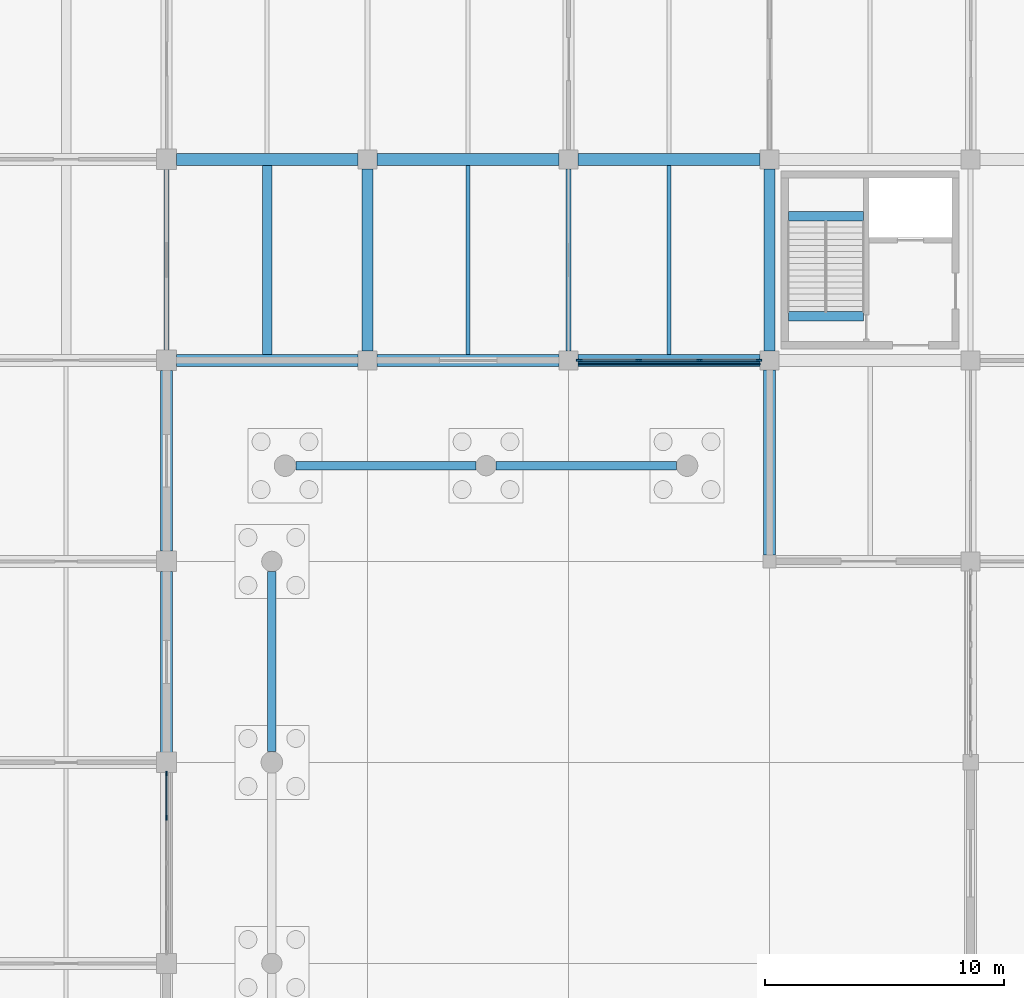
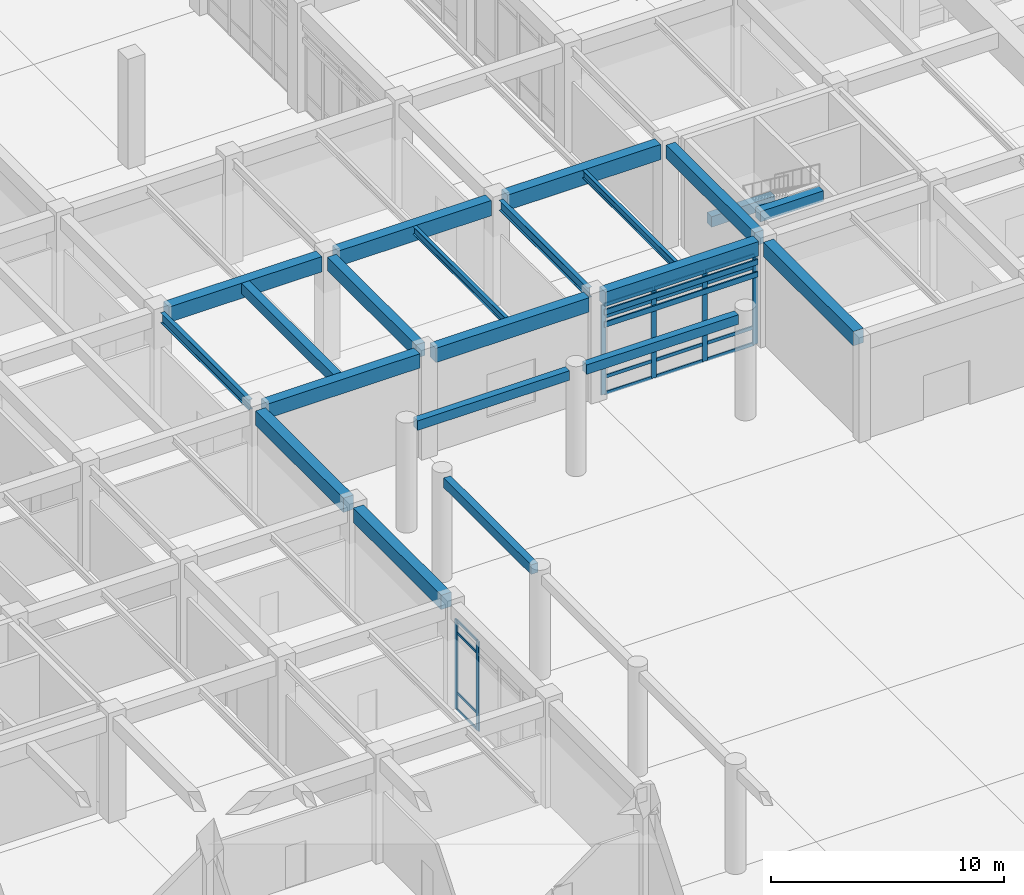
# One storey, part 9 of 91: 24 members, 21 beams, 2 elements without a shape of their own.
"""IFC4 building model written with IfcOpenShell, lengths in metres."""

from ifc_helpers import new_model, si_unit, direction, frame, origin, origin_2d, place, context, subcontext, project, spatial, rectangle, i_section, extrude, material, layer, layer_set, material_profile, profile_set, type_object, element, aggregate, save


model = new_model("IFC4")

# Units and contexts
model_context = context("Model", 3, precision=1e-05, world=origin(), true_north=direction((0.0, 1.0)))
body_context = subcontext(model_context, "Body", "Model", "MODEL_VIEW")
ifc_project = project(units=[si_unit("LENGTHUNIT", "METRE"), si_unit("AREAUNIT", "SQUARE_METRE"), si_unit("VOLUMEUNIT", "CUBIC_METRE"), si_unit("PLANEANGLEUNIT", "RADIAN"), si_unit("MASSUNIT", "GRAM", prefix="KILO")], contexts=[model_context])

# Site, building, storey
site_placement = place(None, origin())
site = spatial("IfcSite", under=ifc_project, at=site_placement, CompositionType="ELEMENT")
building_placement = place(site_placement, origin())
building = spatial("IfcBuilding", under=site, at=building_placement, Name="Porcellanite Civic Hall", CompositionType="ELEMENT")
storey_placement = place(building_placement, origin())
storey = spatial("IfcBuildingStorey", under=building, at=storey_placement, Name="L00", CompositionType="ELEMENT", Elevation=0.0)

# Beams
ifc_material_1 = material(Name="Concrete N50 (50 MPa)", Category="concrete")
ifc_material_profile_1 = material_profile(ifc_material_1, rectangle(XDim=0.39990234375, YDim=0.550048828125, at=origin_2d()), Name="RC-400x550")
ifc_profile_set_1 = profile_set([ifc_material_profile_1], Name="Concrete N50 (50 MPa)")
beam_type_1 = type_object("IfcBeamType", Name="BM-RC550", PredefinedType="JOIST", material=ifc_profile_set_1)
beam_1_placement = place(storey_placement, frame((37.800048828125, 50.6494140625, 5.22509765625), z_axis=(0.0, 1.0, 0.0), x_axis=(-1.0, 0.0, 0.0)))
element("IfcBeam", 1, at=beam_1_placement, inside=storey, type_object=beam_type_1, Name="Secondary joist L00 5-7", PredefinedType="JOIST", context=body_context, shape_type="SweptSolid", body=[
    extrude(rectangle(XDim=0.39990234375, YDim=0.550048828125, at=origin_2d()), origin(), (0.0, 0.0, 1.0), 7.901123046875),
])
for number, where, z_axis, x_axis, name in (
    (2, (59.58056640625, 56.425048828125, 2.425048828125), (1.0, 0.0, 0.0), (0.0, 1.0, 0.0), "Stair landing beam C5 L00"),
    (3, (59.58056640625, 52.25, 5.22509765625), (1.0, 0.0, 0.0), (0.0, 1.0, 0.0), "Stair header beam C5 L00"),
):
    element("IfcBeam", number, at=place(storey_placement, frame(where, z_axis=z_axis, x_axis=x_axis)), inside=storey, type_object=beam_type_1, Name=name, PredefinedType="JOIST", context=body_context, shape_type="SweptSolid", body=[
        extrude(rectangle(XDim=0.39990234375, YDim=0.550048828125, at=origin_2d()), origin(), (0.0, 0.0, 1.0), 3.138916015625),
    ])
ifc_material_2 = material(Name="Concrete N50 (50 MPa)", Category="concrete")
ifc_material_profile_2 = material_profile(ifc_material_2, rectangle(XDim=0.449951171875, YDim=0.699951171875, at=origin_2d()), Name="RC-450x700")
ifc_profile_set_2 = profile_set([ifc_material_profile_2], Name="Concrete N50 (50 MPa)")
beam_type_2 = type_object("IfcBeamType", Name="BM-RC700", PredefinedType="BEAM", material=ifc_profile_set_2)
for number, where, z_axis, x_axis, name in (
    (4, (42.0, 50.799560546875, 5.14990234375), (0.0, 1.0, 0.0), (-1.0, 0.0, 0.0), "Beam Y L00 6-7"),
    (5, (58.800048828125, 50.799560546875, 5.14990234375), (0.0, 1.0, 0.0), (-1.0, 0.0, 0.0), "Beam Y L00 8-7"),
):
    element("IfcBeam", number, at=place(storey_placement, frame(where, z_axis=z_axis, x_axis=x_axis)), inside=storey, type_object=beam_type_2, Name=name, PredefinedType="BEAM", context=body_context, shape_type="SweptSolid", body=[
        extrude(rectangle(XDim=0.449951171875, YDim=0.699951171875, at=origin_2d()), origin(), (0.0, 0.0, 1.0), 7.600830078125),
    ])
ifc_material_3 = material(Name="Concrete N50 (50 MPa)", Category="concrete")
ifc_material_profile_3 = material_profile(ifc_material_3, rectangle(XDim=0.5, YDim=0.75, at=origin_2d()), Name="RC-500x750")
ifc_profile_set_3 = profile_set([ifc_material_profile_3], Name="Concrete N50 (50 MPa)")
beam_type_3 = type_object("IfcBeamType", Name="BM-RC750", PredefinedType="SPANDREL", material=ifc_profile_set_3)
beam_2_placement = place(storey_placement, frame((34.0244140625, 50.39990234375, 5.125), z_axis=(1.0, 0.0, 0.0), x_axis=(0.0, 1.0, 0.0)))
element("IfcBeam", 6, at=beam_2_placement, inside=storey, type_object=beam_type_3, Name="Beam X L00 5-7", PredefinedType="SPANDREL", context=body_context, shape_type="SweptSolid", body=[
    extrude(rectangle(XDim=0.5, YDim=0.75, at=origin_2d()), origin(), (0.0, 0.0, 1.0), 7.576171875),
])
beam_3_placement = place(storey_placement, frame((42.3994140625, 50.39990234375, 5.125), z_axis=(1.0, 0.0, 0.0), x_axis=(0.0, 1.0, 0.0)))
element("IfcBeam", 7, at=beam_3_placement, inside=storey, type_object=beam_type_3, Name="Beam X L00 6-7", PredefinedType="SPANDREL", context=body_context, shape_type="SweptSolid", body=[
    extrude(rectangle(XDim=0.5, YDim=0.75, at=origin_2d()), origin(), (0.0, 0.0, 1.0), 7.60107421875),
])
beam_4_placement = place(storey_placement, frame((50.799560546875, 50.39990234375, 5.125), z_axis=(1.0, 0.0, 0.0), x_axis=(0.0, 1.0, 0.0)))
element("IfcBeam", 8, at=beam_4_placement, inside=storey, type_object=beam_type_3, Name="Beam X L00 7-7", PredefinedType="SPANDREL", context=body_context, shape_type="SweptSolid", body=[
    extrude(rectangle(XDim=0.5, YDim=0.75, at=origin_2d()), origin(), (0.0, 0.0, 1.0), 7.600830078125),
])
for number, where, z_axis, x_axis, name in (
    (9, (33.60009765625, 34.0244140625, 5.125), (0.0, 1.0, 0.0), (-1.0, 0.0, 0.0), "Beam Y L00 5-5"),
    (10, (33.60009765625, 42.424560546875, 5.125), (0.0, 1.0, 0.0), (-1.0, 0.0, 0.0), "Beam Y L00 5-6"),
):
    element("IfcBeam", number, at=place(storey_placement, frame(where, z_axis=z_axis, x_axis=x_axis)), inside=storey, type_object=beam_type_3, Name=name, PredefinedType="SPANDREL", context=body_context, shape_type="SweptSolid", body=[
        extrude(rectangle(XDim=0.5, YDim=0.75, at=origin_2d()), origin(), (0.0, 0.0, 1.0), 7.551025390625),
    ])
beam_5_placement = place(storey_placement, frame((58.800048828125, 42.2744140625, 5.125), z_axis=(0.0, 1.0, 0.0), x_axis=(-1.0, 0.0, 0.0)))
element("IfcBeam", 11, at=beam_5_placement, inside=storey, type_object=beam_type_3, Name="Beam Y L00 8-6", PredefinedType="SPANDREL", context=body_context, shape_type="SweptSolid", body=[
    extrude(rectangle(XDim=0.5, YDim=0.75, at=origin_2d()), origin(), (0.0, 0.0, 1.0), 7.72607421875),
])
ifc_material_4 = material(Name="Concrete N50 (50 MPa)", Category="concrete")
ifc_material_profile_4 = material_profile(ifc_material_4, rectangle(XDim=0.5, YDim=0.800048828125, at=origin_2d()), Name="RC-500x800")
ifc_profile_set_4 = profile_set([ifc_material_profile_4], Name="Concrete N50 (50 MPa)")
beam_type_4 = type_object("IfcBeamType", Name="BM-RC800", PredefinedType="BEAM", material=ifc_profile_set_4)
beam_6_placement = place(storey_placement, frame((34.0244140625, 58.800048828125, 5.10009765625), z_axis=(1.0, 0.0, 0.0), x_axis=(0.0, 1.0, 0.0)))
element("IfcBeam", 12, at=beam_6_placement, inside=storey, type_object=beam_type_4, Name="Beam X L00 5-8", PredefinedType="BEAM", context=body_context, shape_type="SweptSolid", body=[
    extrude(rectangle(XDim=0.5, YDim=0.800048828125, at=origin_2d()), origin(), (0.0, 0.0, 1.0), 7.576171875),
])
beam_7_placement = place(storey_placement, frame((42.3994140625, 58.800048828125, 5.10009765625), z_axis=(1.0, 0.0, 0.0), x_axis=(0.0, 1.0, 0.0)))
element("IfcBeam", 13, at=beam_7_placement, inside=storey, type_object=beam_type_4, Name="Beam X L00 6-8", PredefinedType="BEAM", context=body_context, shape_type="SweptSolid", body=[
    extrude(rectangle(XDim=0.5, YDim=0.800048828125, at=origin_2d()), origin(), (0.0, 0.0, 1.0), 7.60107421875),
])
beam_8_placement = place(storey_placement, frame((50.799560546875, 58.800048828125, 5.10009765625), z_axis=(1.0, 0.0, 0.0), x_axis=(0.0, 1.0, 0.0)))
element("IfcBeam", 14, at=beam_8_placement, inside=storey, type_object=beam_type_4, Name="Beam X L00 7-8", PredefinedType="BEAM", context=body_context, shape_type="SweptSolid", body=[
    extrude(rectangle(XDim=0.5, YDim=0.800048828125, at=origin_2d()), origin(), (0.0, 0.0, 1.0), 7.600830078125),
])

# Curtain wall, members
ifc_material_5 = material(Name="Anodised aluminium and solar laminated glass", Category="aluminium")
ifc_layer_1 = layer(ifc_material_5, 0.179931640625)
ifc_layer_set_1 = layer_set([ifc_layer_1], Name="Anodised aluminium and solar laminated glass")
curtain_wall_type_1 = type_object("IfcCurtainWallType", Name="CW-SYS08", PredefinedType="NOTDEFINED", material=ifc_layer_set_1)
curtain_wall_1_placement = place(storey_placement, origin())
curtain_wall_1 = element("IfcCurtainWall", 15, at=curtain_wall_1_placement, inside=storey, type_object=curtain_wall_type_1, Name="Curtain wall CW-016", PredefinedType="NOTDEFINED")
ifc_material_6 = material(Name="Anodised aluminium 6063-T6", Category="aluminium")
ifc_material_profile_5 = material_profile(ifc_material_6, rectangle(XDim=0.080078125, YDim=0.239990234375, at=origin_2d()), Name="AL-80x240")
ifc_profile_set_5 = profile_set([ifc_material_profile_5], Name="Anodised aluminium 6063-T6")
member_type_1 = type_object("IfcMemberType", Name="CWM-01", PredefinedType="MULLION", material=ifc_profile_set_5)
member_1_placement = place(storey_placement, frame((58.35888671875, 50.39990234375, 0.0), z_axis=(0.0, 0.0, 1.0), x_axis=(0.0, -1.0, 0.0)))
member_1 = element("IfcMember", 16, at=member_1_placement, type_object=member_type_1, Name="CW-016 mullion 1", PredefinedType="MULLION", context=body_context, shape_type="SweptSolid", body=[
    extrude(rectangle(XDim=0.080078125, YDim=0.239990234375, at=origin_2d()), origin(), (0.0, 0.0, 1.0), 4.699951171875),
])
member_2_placement = place(storey_placement, frame((55.866455078125, 50.39990234375, 0.0), z_axis=(0.0, 0.0, 1.0), x_axis=(0.0, -1.0, 0.0)))
member_2 = element("IfcMember", 17, at=member_2_placement, type_object=member_type_1, Name="CW-016 mullion 2", PredefinedType="MULLION", context=body_context, shape_type="SweptSolid", body=[
    extrude(rectangle(XDim=0.080078125, YDim=0.239990234375, at=origin_2d()), origin(), (0.0, 0.0, 1.0), 4.699951171875),
])
member_3_placement = place(storey_placement, frame((53.333740234375, 50.39990234375, 0.0), z_axis=(0.0, 0.0, 1.0), x_axis=(0.0, -1.0, 0.0)))
member_3 = element("IfcMember", 18, at=member_3_placement, type_object=member_type_1, Name="CW-016 mullion 3", PredefinedType="MULLION", context=body_context, shape_type="SweptSolid", body=[
    extrude(rectangle(XDim=0.080078125, YDim=0.239990234375, at=origin_2d()), origin(), (0.0, 0.0, 1.0), 4.699951171875),
])
member_4_placement = place(storey_placement, frame((50.841064453125, 50.39990234375, 0.0), z_axis=(0.0, 0.0, 1.0), x_axis=(0.0, -1.0, 0.0)))
member_4 = element("IfcMember", 19, at=member_4_placement, type_object=member_type_1, Name="CW-016 mullion 4", PredefinedType="MULLION", context=body_context, shape_type="SweptSolid", body=[
    extrude(rectangle(XDim=0.080078125, YDim=0.239990234375, at=origin_2d()), origin(), (0.0, 0.0, 1.0), 4.699951171875),
])

ifc_material_7 = material(Name="Anodised aluminium and solar laminated glass", Category="aluminium")
ifc_layer_2 = layer(ifc_material_7, 0.179931640625)
ifc_layer_set_2 = layer_set([ifc_layer_2], Name="Anodised aluminium and solar laminated glass")
curtain_wall_type_2 = type_object("IfcCurtainWallType", Name="CW-SYS05", PredefinedType="NOTDEFINED", material=ifc_layer_set_2)
curtain_wall_2_placement = place(storey_placement, origin())
curtain_wall_2 = element("IfcCurtainWall", 20, at=curtain_wall_2_placement, inside=storey, type_object=curtain_wall_type_2, Name="Curtain wall CW-012", PredefinedType="NOTDEFINED")
ifc_material_8 = material(Name="Anodised aluminium 6063-T6", Category="aluminium")
ifc_material_profile_6 = material_profile(ifc_material_8, rectangle(XDim=0.070068359375, YDim=0.199951171875, at=origin_2d()), Name="AL-70x200")
ifc_profile_set_6 = profile_set([ifc_material_profile_6], Name="Anodised aluminium 6063-T6")
member_type_2 = type_object("IfcMemberType", Name="CWM-05", PredefinedType="MULLION", material=ifc_profile_set_6)
member_5_placement = place(storey_placement, frame((33.60009765625, 33.138916015625, 0.0), z_axis=(0.0, 0.0, 1.0), x_axis=(1.0, 0.0, 0.0)))
member_5 = element("IfcMember", 21, at=member_5_placement, type_object=member_type_2, Name="CW-012 mullion 1", PredefinedType="MULLION", context=body_context, shape_type="SweptSolid", body=[
    extrude(rectangle(XDim=0.070068359375, YDim=0.199951171875, at=origin_2d()), origin(), (0.0, 0.0, 1.0), 4.699951171875),
])
member_6_placement = place(storey_placement, frame((33.60009765625, 31.287109375, 0.0), z_axis=(0.0, 0.0, 1.0), x_axis=(1.0, 0.0, 0.0)))
member_6 = element("IfcMember", 22, at=member_6_placement, type_object=member_type_2, Name="CW-012 mullion 2", PredefinedType="MULLION", context=body_context, shape_type="SweptSolid", body=[
    extrude(rectangle(XDim=0.070068359375, YDim=0.199951171875, at=origin_2d()), origin(), (0.0, 0.0, 1.0), 4.699951171875),
])

# Member
ifc_material_9 = material(Name="Anodised aluminium 6063-T6", Category="aluminium")
ifc_material_profile_7 = material_profile(ifc_material_9, rectangle(XDim=0.070068359375, YDim=0.175048828125, at=origin_2d()), Name="AL-70x175")
ifc_profile_set_7 = profile_set([ifc_material_profile_7], Name="Anodised aluminium 6063-T6")
member_type_3 = type_object("IfcMemberType", Name="CWT-01", PredefinedType="USERDEFINED", material=ifc_profile_set_7)
member_7_placement = place(storey_placement, frame((58.319091796875, 50.39990234375, 0.034912109375), z_axis=(-1.0, 0.0, 0.0), x_axis=(0.0, -1.0, 0.0)))
member_7 = element("IfcMember", 23, at=member_7_placement, type_object=member_type_3, Name="CW-016 transom 1.1", ObjectType="TRANSOM", PredefinedType="USERDEFINED", context=body_context, shape_type="SweptSolid", body=[
    extrude(rectangle(XDim=0.070068359375, YDim=0.175048828125, at=origin_2d()), origin(), (0.0, 0.0, 1.0), 2.412841796875),
])

member_8_placement = place(storey_placement, frame((58.319091796875, 50.39990234375, 0.89990234375), z_axis=(-1.0, 0.0, 0.0), x_axis=(0.0, -1.0, 0.0)))
member_8 = element("IfcMember", 24, at=member_8_placement, type_object=member_type_3, Name="CW-016 transom 1.2", ObjectType="TRANSOM", PredefinedType="USERDEFINED", context=body_context, shape_type="SweptSolid", body=[
    extrude(rectangle(XDim=0.070068359375, YDim=0.175048828125, at=origin_2d()), origin(), (0.0, 0.0, 1.0), 2.412841796875),
])

member_9_placement = place(storey_placement, frame((58.319091796875, 50.39990234375, 4.050048828125), z_axis=(-1.0, 0.0, 0.0), x_axis=(0.0, -1.0, 0.0)))
member_9 = element("IfcMember", 25, at=member_9_placement, type_object=member_type_3, Name="CW-016 transom 1.3", ObjectType="TRANSOM", PredefinedType="USERDEFINED", context=body_context, shape_type="SweptSolid", body=[
    extrude(rectangle(XDim=0.070068359375, YDim=0.175048828125, at=origin_2d()), origin(), (0.0, 0.0, 1.0), 2.412841796875),
])

member_10_placement = place(storey_placement, frame((58.319091796875, 50.39990234375, 4.6650390625), z_axis=(-1.0, 0.0, 0.0), x_axis=(0.0, -1.0, 0.0)))
member_10 = element("IfcMember", 26, at=member_10_placement, type_object=member_type_3, Name="CW-016 transom 1.4", ObjectType="TRANSOM", PredefinedType="USERDEFINED", context=body_context, shape_type="SweptSolid", body=[
    extrude(rectangle(XDim=0.070068359375, YDim=0.175048828125, at=origin_2d()), origin(), (0.0, 0.0, 1.0), 2.412841796875),
])

member_11_placement = place(storey_placement, frame((55.826416015625, 50.39990234375, 0.034912109375), z_axis=(-1.0, 0.0, 0.0), x_axis=(0.0, -1.0, 0.0)))
member_11 = element("IfcMember", 27, at=member_11_placement, type_object=member_type_3, Name="CW-016 transom 2.1", ObjectType="TRANSOM", PredefinedType="USERDEFINED", context=body_context, shape_type="SweptSolid", body=[
    extrude(rectangle(XDim=0.070068359375, YDim=0.175048828125, at=origin_2d()), origin(), (0.0, 0.0, 1.0), 2.45263671875),
])

member_12_placement = place(storey_placement, frame((55.826416015625, 50.39990234375, 0.89990234375), z_axis=(-1.0, 0.0, 0.0), x_axis=(0.0, -1.0, 0.0)))
member_12 = element("IfcMember", 28, at=member_12_placement, type_object=member_type_3, Name="CW-016 transom 2.2", ObjectType="TRANSOM", PredefinedType="USERDEFINED", context=body_context, shape_type="SweptSolid", body=[
    extrude(rectangle(XDim=0.070068359375, YDim=0.175048828125, at=origin_2d()), origin(), (0.0, 0.0, 1.0), 2.45263671875),
])

member_13_placement = place(storey_placement, frame((55.826416015625, 50.39990234375, 4.050048828125), z_axis=(-1.0, 0.0, 0.0), x_axis=(0.0, -1.0, 0.0)))
member_13 = element("IfcMember", 29, at=member_13_placement, type_object=member_type_3, Name="CW-016 transom 2.3", ObjectType="TRANSOM", PredefinedType="USERDEFINED", context=body_context, shape_type="SweptSolid", body=[
    extrude(rectangle(XDim=0.070068359375, YDim=0.175048828125, at=origin_2d()), origin(), (0.0, 0.0, 1.0), 2.45263671875),
])

member_14_placement = place(storey_placement, frame((55.826416015625, 50.39990234375, 4.6650390625), z_axis=(-1.0, 0.0, 0.0), x_axis=(0.0, -1.0, 0.0)))
member_14 = element("IfcMember", 30, at=member_14_placement, type_object=member_type_3, Name="CW-016 transom 2.4", ObjectType="TRANSOM", PredefinedType="USERDEFINED", context=body_context, shape_type="SweptSolid", body=[
    extrude(rectangle(XDim=0.070068359375, YDim=0.175048828125, at=origin_2d()), origin(), (0.0, 0.0, 1.0), 2.45263671875),
])

member_15_placement = place(storey_placement, frame((53.293701171875, 50.39990234375, 0.034912109375), z_axis=(-1.0, 0.0, 0.0), x_axis=(0.0, -1.0, 0.0)))
member_15 = element("IfcMember", 31, at=member_15_placement, type_object=member_type_3, Name="CW-016 transom 3.1", ObjectType="TRANSOM", PredefinedType="USERDEFINED", context=body_context, shape_type="SweptSolid", body=[
    extrude(rectangle(XDim=0.070068359375, YDim=0.175048828125, at=origin_2d()), origin(), (0.0, 0.0, 1.0), 2.41259765625),
])

member_16_placement = place(storey_placement, frame((53.293701171875, 50.39990234375, 0.89990234375), z_axis=(-1.0, 0.0, 0.0), x_axis=(0.0, -1.0, 0.0)))
member_16 = element("IfcMember", 32, at=member_16_placement, type_object=member_type_3, Name="CW-016 transom 3.2", ObjectType="TRANSOM", PredefinedType="USERDEFINED", context=body_context, shape_type="SweptSolid", body=[
    extrude(rectangle(XDim=0.070068359375, YDim=0.175048828125, at=origin_2d()), origin(), (0.0, 0.0, 1.0), 2.41259765625),
])

member_17_placement = place(storey_placement, frame((53.293701171875, 50.39990234375, 4.050048828125), z_axis=(-1.0, 0.0, 0.0), x_axis=(0.0, -1.0, 0.0)))
member_17 = element("IfcMember", 33, at=member_17_placement, type_object=member_type_3, Name="CW-016 transom 3.3", ObjectType="TRANSOM", PredefinedType="USERDEFINED", context=body_context, shape_type="SweptSolid", body=[
    extrude(rectangle(XDim=0.070068359375, YDim=0.175048828125, at=origin_2d()), origin(), (0.0, 0.0, 1.0), 2.41259765625),
])

member_18_placement = place(storey_placement, frame((53.293701171875, 50.39990234375, 4.6650390625), z_axis=(-1.0, 0.0, 0.0), x_axis=(0.0, -1.0, 0.0)))
member_18 = element("IfcMember", 34, at=member_18_placement, type_object=member_type_3, Name="CW-016 transom 3.4", ObjectType="TRANSOM", PredefinedType="USERDEFINED", context=body_context, shape_type="SweptSolid", body=[
    extrude(rectangle(XDim=0.070068359375, YDim=0.175048828125, at=origin_2d()), origin(), (0.0, 0.0, 1.0), 2.41259765625),
])

aggregate(curtain_wall_1, [member_1, member_2, member_3, member_4, member_7, member_8, member_9, member_10, member_11, member_12, member_13, member_14, member_15, member_16, member_17, member_18])

ifc_material_10 = material(Name="Anodised aluminium 6063-T6", Category="aluminium")
ifc_material_profile_8 = material_profile(ifc_material_10, rectangle(XDim=0.06005859375, YDim=0.1298828125, at=origin_2d()), Name="AL-60x130")
ifc_profile_set_8 = profile_set([ifc_material_profile_8], Name="Anodised aluminium 6063-T6")
member_type_4 = type_object("IfcMemberType", Name="CWT-03", PredefinedType="USERDEFINED", material=ifc_profile_set_8)
member_19_placement = place(storey_placement, frame((33.60009765625, 33.10400390625, 0.030029296875), z_axis=(0.0, -1.0, 0.0), x_axis=(1.0, 0.0, 0.0)))
member_19 = element("IfcMember", 35, at=member_19_placement, type_object=member_type_4, Name="CW-012 transom 1.1", ObjectType="TRANSOM", PredefinedType="USERDEFINED", context=body_context, shape_type="SweptSolid", body=[
    extrude(rectangle(XDim=0.06005859375, YDim=0.1298828125, at=origin_2d()), origin(), (0.0, 0.0, 1.0), 1.781982421875),
])

member_20_placement = place(storey_placement, frame((33.60009765625, 33.10400390625, 0.89990234375), z_axis=(0.0, -1.0, 0.0), x_axis=(1.0, 0.0, 0.0)))
member_20 = element("IfcMember", 36, at=member_20_placement, type_object=member_type_4, Name="CW-012 transom 1.2", ObjectType="TRANSOM", PredefinedType="USERDEFINED", context=body_context, shape_type="SweptSolid", body=[
    extrude(rectangle(XDim=0.06005859375, YDim=0.1298828125, at=origin_2d()), origin(), (0.0, 0.0, 1.0), 1.781982421875),
])

member_21_placement = place(storey_placement, frame((33.60009765625, 33.10400390625, 4.050048828125), z_axis=(0.0, -1.0, 0.0), x_axis=(1.0, 0.0, 0.0)))
member_21 = element("IfcMember", 37, at=member_21_placement, type_object=member_type_4, Name="CW-012 transom 1.3", ObjectType="TRANSOM", PredefinedType="USERDEFINED", context=body_context, shape_type="SweptSolid", body=[
    extrude(rectangle(XDim=0.06005859375, YDim=0.1298828125, at=origin_2d()), origin(), (0.0, 0.0, 1.0), 1.781982421875),
])

member_22_placement = place(storey_placement, frame((33.60009765625, 33.10400390625, 4.669921875), z_axis=(0.0, -1.0, 0.0), x_axis=(1.0, 0.0, 0.0)))
member_22 = element("IfcMember", 38, at=member_22_placement, type_object=member_type_4, Name="CW-012 transom 1.4", ObjectType="TRANSOM", PredefinedType="USERDEFINED", context=body_context, shape_type="SweptSolid", body=[
    extrude(rectangle(XDim=0.06005859375, YDim=0.1298828125, at=origin_2d()), origin(), (0.0, 0.0, 1.0), 1.781982421875),
])

aggregate(curtain_wall_2, [member_5, member_6, member_19, member_20, member_21, member_22])

# Beams
ifc_material_11 = material(Name="Steel Grade 350", Category="steel")
ifc_material_profile_9 = material_profile(ifc_material_11, i_section(OverallWidth=0.177978515625, OverallDepth=0.403076171875, WebThickness=0.007568359375, FlangeThickness=0.010986328125, FilletRadius=0.011474609375, at=origin_2d()), Name="410UB53.7")
ifc_profile_set_9 = profile_set([ifc_material_profile_9], Name="Steel Grade 350")
beam_type_5 = type_object("IfcBeamType", Name="JST-410UB54", PredefinedType="JOIST", material=ifc_profile_set_9)
beam_9_placement = place(storey_placement, frame((54.60009765625, 50.6494140625, 5.298583984375), z_axis=(0.0, 1.0, 0.0), x_axis=(-1.0, 0.0, 0.0)))
element("IfcBeam", 39, at=beam_9_placement, inside=storey, type_object=beam_type_5, Name="Secondary joist L00 7-7", PredefinedType="JOIST", context=body_context, shape_type="SweptSolid", body=[
    extrude(i_section(OverallWidth=0.177978515625, OverallDepth=0.403076171875, WebThickness=0.007568359375, FlangeThickness=0.010986328125, FilletRadius=0.011474609375, at=origin_2d()), origin(), (0.0, 0.0, 1.0), 7.901123046875),
])
ifc_material_12 = material(Name="Steel Grade 350", Category="steel")
ifc_material_profile_10 = material_profile(ifc_material_12, i_section(OverallWidth=0.177978515625, OverallDepth=0.406005859375, WebThickness=0.0078125, FlangeThickness=0.0126953125, FilletRadius=0.011474609375, at=origin_2d()), Name="410UB59.7")
ifc_profile_set_10 = profile_set([ifc_material_profile_10], Name="Steel Grade 350")
beam_type_6 = type_object("IfcBeamType", Name="JST-410UB60", PredefinedType="JOIST", material=ifc_profile_set_10)
beam_10_placement = place(storey_placement, frame((46.199951171875, 50.6494140625, 5.297119140625), z_axis=(0.0, 1.0, 0.0), x_axis=(-1.0, 0.0, 0.0)))
element("IfcBeam", 40, at=beam_10_placement, inside=storey, type_object=beam_type_6, Name="Secondary joist L00 6-7", PredefinedType="JOIST", context=body_context, shape_type="SweptSolid", body=[
    extrude(i_section(OverallWidth=0.177978515625, OverallDepth=0.406005859375, WebThickness=0.0078125, FlangeThickness=0.0126953125, FilletRadius=0.011474609375, at=origin_2d()), origin(), (0.0, 0.0, 1.0), 7.901123046875),
])
ifc_material_13 = material(Name="Concrete N50 (50 MPa)", Category="concrete")
ifc_material_profile_11 = material_profile(ifc_material_13, rectangle(XDim=0.35009765625, YDim=0.5, at=origin_2d()), Name="RC-350x500")
ifc_profile_set_11 = profile_set([ifc_material_profile_11], Name="Concrete N50 (50 MPa)")
beam_type_7 = type_object("IfcBeamType", Name="LN-RC500", PredefinedType="LINTEL", material=ifc_profile_set_11)
for number, where, z_axis, x_axis, name in (
    (41, (38.0, 34.049560546875, 5.260009765625), (0.0, 1.0, 0.0), (-1.0, 0.0, 0.0), "Colonnade keystone beam L00 COL-W-P05"),
    (42, (38.99951171875, 46.0, 5.260009765625), (1.0, 0.0, 0.0), (0.0, 1.0, 0.0), "Colonnade keystone beam L00 COL-NW-P01"),
    (43, (47.37451171875, 46.0, 5.260009765625), (1.0, 0.0, 0.0), (0.0, 1.0, 0.0), "Colonnade keystone beam L00 COL-NW-P02"),
):
    element("IfcBeam", number, at=place(storey_placement, frame(where, z_axis=z_axis, x_axis=x_axis)), inside=storey, type_object=beam_type_7, Name=name, PredefinedType="LINTEL", context=body_context, shape_type="SweptSolid", body=[
        extrude(rectangle(XDim=0.35009765625, YDim=0.5, at=origin_2d()), origin(), (0.0, 0.0, 1.0), 7.52587890625),
    ])

# Members
ifc_material_14 = material(Name="Fluoropolymer bauxite-red aluminium 6063-T6", Category="aluminium")
ifc_material_profile_12 = material_profile(ifc_material_14, rectangle(XDim=0.070068359375, YDim=0.280029296875, at=origin_2d()), Name="AL-70x280")
ifc_profile_set_12 = profile_set([ifc_material_profile_12], Name="Fluoropolymer bauxite-red aluminium 6063-T6")
member_type_5 = type_object("IfcMemberType", Name="LV-BLD05", PredefinedType="USERDEFINED", material=ifc_profile_set_12)
for number, where, z_axis, x_axis, name in (
    (44, (58.400390625, 50.242919921875, 4.39990234375), (-1.0, 0.0, 0.0), (0.0, -1.0, 0.0), "Cyclone sunshade louvre L00 S 6-6 1"),
    (45, (58.400390625, 50.242919921875, 3.75), (-1.0, 0.0, 0.0), (0.0, -1.0, 0.0), "Cyclone sunshade louvre L00 S 6-6 2"),
):
    element("IfcMember", number, at=place(storey_placement, frame(where, z_axis=z_axis, x_axis=x_axis)), inside=storey, type_object=member_type_5, Name=name, ObjectType="LOUVRE BLADE", PredefinedType="USERDEFINED", context=body_context, shape_type="SweptSolid", body=[
        extrude(rectangle(XDim=0.070068359375, YDim=0.280029296875, at=origin_2d()), origin(), (0.0, 0.0, 1.0), 7.600830078125),
    ])

# Beams
ifc_material_15 = material(Name="Steel Grade 350", Category="steel")
ifc_material_profile_13 = material_profile(ifc_material_15, i_section(OverallWidth=0.208984375, OverallDepth=0.528076171875, WebThickness=0.009521484375, FlangeThickness=0.01318359375, FilletRadius=0.013916015625, at=origin_2d()), Name="530UB82.0")
ifc_profile_set_13 = profile_set([ifc_material_profile_13], Name="Steel Grade 350")
beam_type_8 = type_object("IfcBeamType", Name="RAF-530UB82", PredefinedType="BEAM", material=ifc_profile_set_13)
beam_11_placement = place(storey_placement, frame((33.60009765625, 50.824462890625, 5.236083984375), z_axis=(0.0, 1.0, 0.0), x_axis=(-1.0, 0.0, 0.0)))
element("IfcBeam", 46, at=beam_11_placement, inside=storey, type_object=beam_type_8, Name="Beam Y L00 5-7", PredefinedType="BEAM", context=body_context, shape_type="SweptSolid", body=[
    extrude(i_section(OverallWidth=0.208984375, OverallDepth=0.528076171875, WebThickness=0.009521484375, FlangeThickness=0.01318359375, FilletRadius=0.013916015625, at=origin_2d()), origin(), (0.0, 0.0, 1.0), 7.551025390625),
])
beam_12_placement = place(storey_placement, frame((50.39990234375, 50.799560546875, 5.236083984375), z_axis=(0.0, 1.0, 0.0), x_axis=(-1.0, 0.0, 0.0)))
element("IfcBeam", 47, at=beam_12_placement, inside=storey, type_object=beam_type_8, Name="Beam Y L00 7-7", PredefinedType="BEAM", context=body_context, shape_type="SweptSolid", body=[
    extrude(i_section(OverallWidth=0.208984375, OverallDepth=0.528076171875, WebThickness=0.009521484375, FlangeThickness=0.01318359375, FilletRadius=0.013916015625, at=origin_2d()), origin(), (0.0, 0.0, 1.0), 7.600830078125),
])

save(model, "model.ifc")
